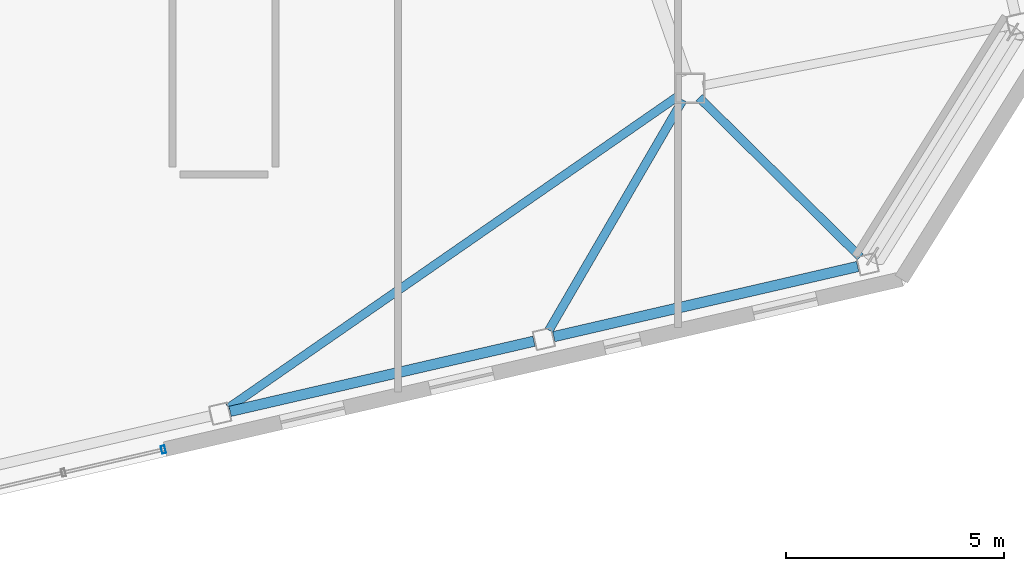
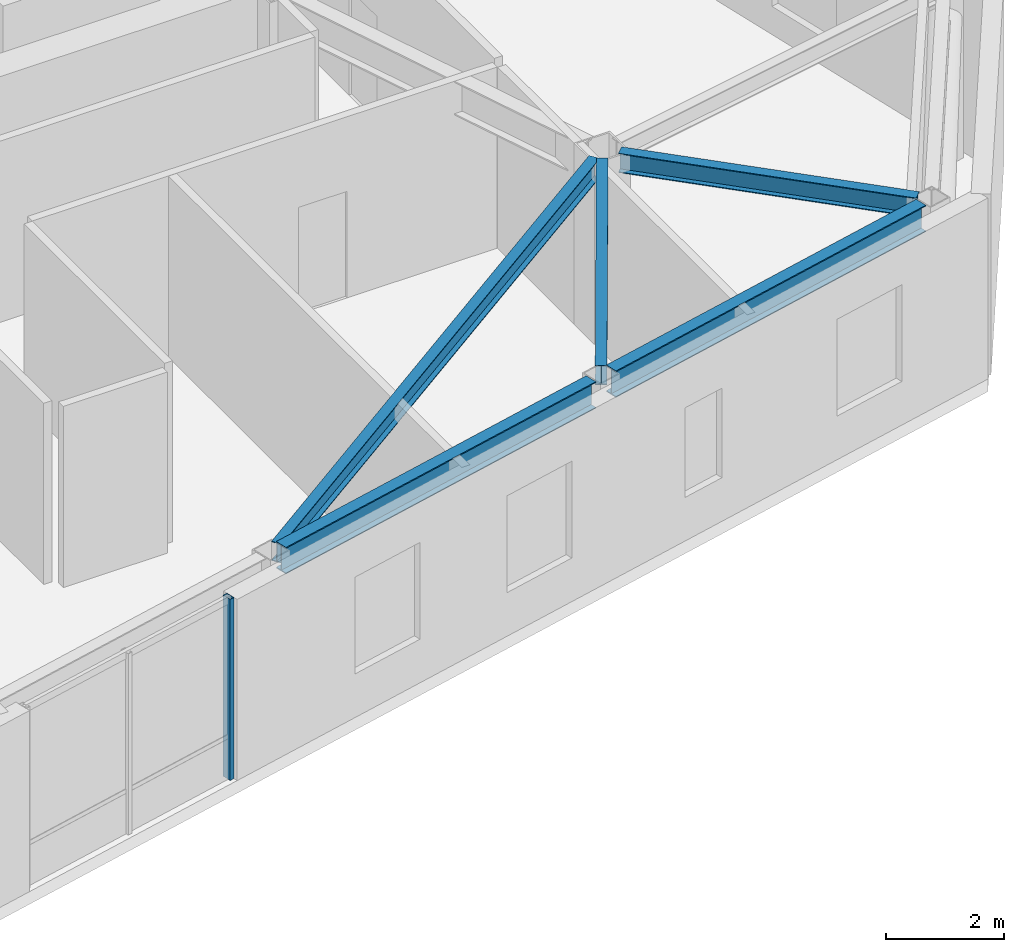
# One storey, part 10 of 23: 5 beams, 1 member, 1 element without a shape of its own.
"""IFC4 building model written with IfcOpenShell, lengths in metres."""

from ifc_helpers import new_model, si_unit, direction, frame, origin, origin_2d, place, context, subcontext, project, spatial, hollow_rectangle, i_section, extrude, material, layer, layer_set, material_profile, profile_set, type_object, element, aggregate, save


model = new_model("IFC4")

# Units and contexts
model_context = context("Model", 3, precision=1e-05, world=origin(), true_north=direction((0.0, 1.0)))
body_context = subcontext(model_context, "Body", "Model", "MODEL_VIEW")
ifc_project = project(units=[si_unit("LENGTHUNIT", "METRE"), si_unit("AREAUNIT", "SQUARE_METRE"), si_unit("VOLUMEUNIT", "CUBIC_METRE"), si_unit("PLANEANGLEUNIT", "RADIAN"), si_unit("MASSUNIT", "GRAM", prefix="KILO")], contexts=[model_context])

# Site, building, storey
site_placement = place(None, origin())
site = spatial("IfcSite", under=ifc_project, at=site_placement, CompositionType="ELEMENT")
building_placement = place(site_placement, origin())
building = spatial("IfcBuilding", under=site, at=building_placement, Name="Tavrogorsk Clinical Tower", CompositionType="ELEMENT")
storey_placement = place(building_placement, frame((0.0, 0.0, 297.0)))
storey = spatial("IfcBuildingStorey", under=building, at=storey_placement, Name="L69", CompositionType="ELEMENT", Elevation=297.0)

# Curtain wall, member
ifc_material_1 = material(Name="Anodised aluminium and triple IGU glazing", Category="aluminium")
ifc_layer = layer(ifc_material_1, 0.179931640625)
ifc_layer_set = layer_set([ifc_layer], Name="Anodised aluminium and triple IGU glazing")
curtain_wall_type = type_object("IfcCurtainWallType", Name="CW3_SouthSlot", PredefinedType="NOTDEFINED", material=ifc_layer_set)
curtain_wall_placement = place(storey_placement, origin())
curtain_wall = element("IfcCurtainWall", 1, at=curtain_wall_placement, inside=storey, type_object=curtain_wall_type, Name="L69 Curtain Wall CW-L69-S-SLOT-2", PredefinedType="NOTDEFINED")
ifc_material_2 = material(Name="Anodised aluminium alloy AW-6060", Category="aluminium")
ifc_material_profile_1 = material_profile(ifc_material_2, hollow_rectangle(XDim=0.090087890625, YDim=0.179931640625, WallThickness=0.00634765625, at=origin_2d()), Name="RHS-180x90x6.3")
ifc_profile_set_1 = profile_set([ifc_material_profile_1], Name="Anodised aluminium alloy AW-6060")
member_type = type_object("IfcMemberType", Name="CwMullion_180x90", PredefinedType="MULLION", material=ifc_profile_set_1)
member_placement = place(storey_placement, frame((12.4052734375, -21.504638671875, 0.0), z_axis=(0.0, 0.0, 1.0), x_axis=(0.974370057377, 0.224951086434, 0.0)))
member = element("IfcMember", 2, at=member_placement, type_object=member_type, Name="CW-L69-S-SLOT-2 Mullion 3", PredefinedType="MULLION", context=body_context, shape_type="SweptSolid", body=[
    extrude(hollow_rectangle(XDim=0.090087890625, YDim=0.179931640625, WallThickness=0.00634765625, at=origin_2d()), origin(), (0.0, 0.0, 1.0), 3.739990234375),
])
aggregate(curtain_wall, [member])

# Beams
ifc_material_3 = material(Name="Structural steel S355", Category="steel")
ifc_material_profile_2 = material_profile(ifc_material_3, i_section(OverallWidth=0.199951171875, OverallDepth=0.39990234375, WebThickness=0.010498046875, FlangeThickness=0.01611328125, at=origin_2d()), Name="B-400x200x10.5x16")
ifc_profile_set_2 = profile_set([ifc_material_profile_2], Name="Structural steel S355")
beam_type_1 = type_object("IfcBeamType", Name="FloorBeam_B400", PredefinedType="BEAM", material=ifc_profile_set_2)
beam_1_placement = place(storey_placement, frame((24.245361328125, -13.376708984375, 3.5400390625), z_axis=(-0.821821874963, -0.56974450926, 0.0), x_axis=(0.56974450926, -0.821821874963, 0.0)))
element("IfcBeam", 3, at=beam_1_placement, inside=storey, type_object=beam_type_1, Name="L69 Radial Floor Beam S6", PredefinedType="BEAM", context=body_context, shape_type="SweptSolid", body=[
    extrude(i_section(OverallWidth=0.199951171875, OverallDepth=0.39990234375, WebThickness=0.010498046875, FlangeThickness=0.01611328125, at=origin_2d()), origin(), (0.0, 0.0, 1.0), 12.5849609375),
])
beam_2_placement = place(storey_placement, frame((24.34423828125, -13.468017578125, 3.5400390625), z_axis=(-0.50260105099, -0.864518469174, 0.0), x_axis=(0.864518469174, -0.50260105099, 0.0)))
element("IfcBeam", 4, at=beam_2_placement, inside=storey, type_object=beam_type_1, Name="L69 Radial Floor Beam S7", PredefinedType="BEAM", context=body_context, shape_type="SweptSolid", body=[
    extrude(i_section(OverallWidth=0.199951171875, OverallDepth=0.39990234375, WebThickness=0.010498046875, FlangeThickness=0.01611328125, at=origin_2d()), origin(), (0.0, 0.0, 1.0), 6.12255859375),
])
beam_3_placement = place(storey_placement, frame((24.720458984375, -13.41796875, 3.5400390625), z_axis=(0.710870207436, -0.703323217433, 0.0), x_axis=(0.703323217433, 0.710870207436, 0.0)))
element("IfcBeam", 5, at=beam_3_placement, inside=storey, type_object=beam_type_1, Name="L69 Radial Floor Beam S8", PredefinedType="BEAM", context=body_context, shape_type="SweptSolid", body=[
    extrude(i_section(OverallWidth=0.199951171875, OverallDepth=0.39990234375, WebThickness=0.010498046875, FlangeThickness=0.01611328125, at=origin_2d()), origin(), (0.0, 0.0, 1.0), 5.208251953125),
])
ifc_material_4 = material(Name="Structural steel S390", Category="steel")
ifc_material_profile_3 = material_profile(ifc_material_4, i_section(OverallWidth=0.239990234375, OverallDepth=0.550048828125, WebThickness=0.013916015625, FlangeThickness=0.02197265625, at=origin_2d()), Name="B-550x240x14x22")
ifc_profile_set_3 = profile_set([ifc_material_profile_3], Name="Structural steel S390")
beam_type_2 = type_object("IfcBeamType", Name="SpandrelBeam_B550", PredefinedType="SPANDREL", material=ifc_profile_set_3)
for number, where, z_axis, x_axis, name in (
    (6, (13.938232421875, -20.627197265625, 3.465087890625), (0.974369378592, 0.224954026551, 0.0), (-0.224954026551, 0.974369378592, 0.0), "L69 Perimeter Spandrel S6-S7"),
    (7, (21.376953125, -18.909912109375, 3.465087890625), (0.974369378592, 0.224954026551, 0.0), (-0.224954026551, 0.974369378592, 0.0), "L69 Perimeter Spandrel S7-S8"),
):
    element("IfcBeam", number, at=place(storey_placement, frame(where, z_axis=z_axis, x_axis=x_axis)), inside=storey, type_object=beam_type_2, Name=name, PredefinedType="SPANDREL", context=body_context, shape_type="SweptSolid", body=[
        extrude(i_section(OverallWidth=0.239990234375, OverallDepth=0.550048828125, WebThickness=0.013916015625, FlangeThickness=0.02197265625, at=origin_2d()), origin(), (0.0, 0.0, 1.0), 7.16845703125),
    ])

save(model, "model.ifc")
